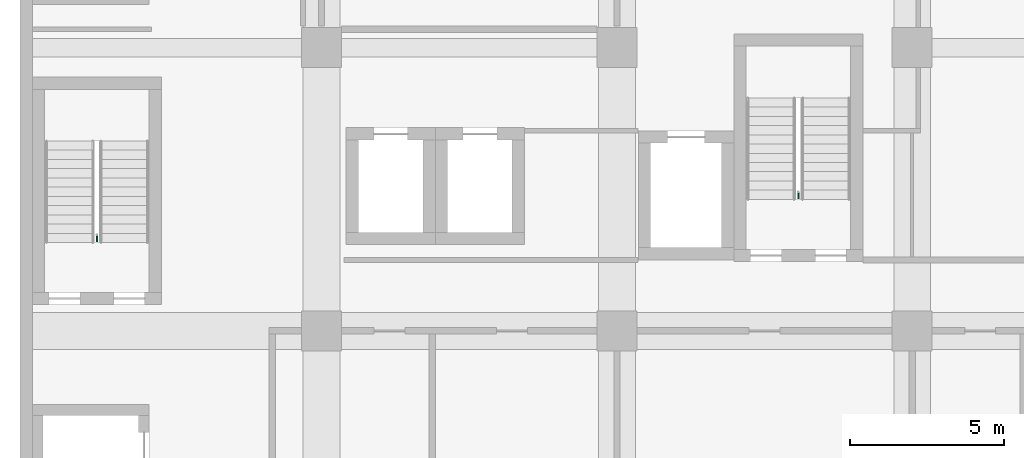
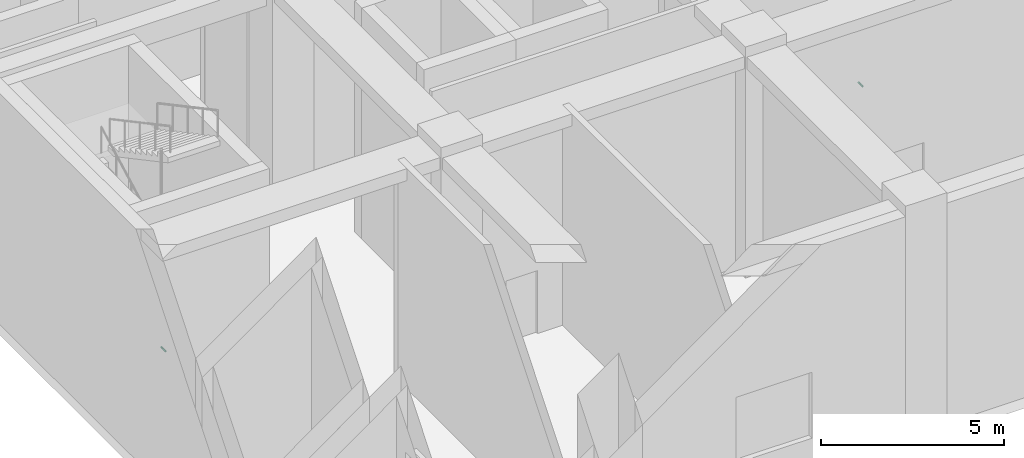
# One storey, part 28 of 33: 2 pipe fittings.
"""IFC4 building model written with IfcOpenShell, lengths in metres."""

from ifc_helpers import new_model, si_unit, direction, frame, origin, origin_2d, place, context, subcontext, project, spatial, circle, extrude, element, save


model = new_model("IFC4")

# Units and contexts
model_context = context("Model", 3, precision=1e-05, world=origin(), true_north=direction((0.0, 1.0)))
body_context = subcontext(model_context, "Body", "Model", "MODEL_VIEW")
ifc_project = project(units=[si_unit("LENGTHUNIT", "METRE"), si_unit("AREAUNIT", "SQUARE_METRE"), si_unit("VOLUMEUNIT", "CUBIC_METRE"), si_unit("PLANEANGLEUNIT", "RADIAN"), si_unit("MASSUNIT", "GRAM", prefix="KILO")], contexts=[model_context])

# Site, building, storey
site_placement = place(None, origin())
site = spatial("IfcSite", under=ifc_project, at=site_placement, CompositionType="ELEMENT")
building_placement = place(site_placement, origin())
building = spatial("IfcBuilding", under=site, at=building_placement, Name="Nzadi Deep Aquarium and Research Tower", CompositionType="ELEMENT")
storey_placement = place(building_placement, frame((0.0, 0.0, 6.5)))
storey = spatial("IfcBuildingStorey", under=building, at=storey_placement, Name="L01", CompositionType="ELEMENT", Elevation=6.5)

# Pipe fittings
for number, where, z_axis, x_axis, name in (
    (1, (2.300048828125, 12.320068359375, 1.10009765625), (0.0, -1.0, 0.0), (1.0, 0.0, 0.0), "Dry riser outlet ST-Z1-SW L01"),
    (2, (25.10009765625, 13.719970703125, 1.10009765625), (0.0, -1.0, 0.0), (1.0, 0.0, 0.0), "Dry riser outlet ST-Z1-SE L01"),
):
    element("IfcPipeFitting", number, at=place(storey_placement, frame(where, z_axis=z_axis, x_axis=x_axis)), inside=storey, Name=name, PredefinedType="EXIT", context=body_context, shape_type="SweptSolid", body=[
        extrude(circle(Radius=0.0224609375, at=origin_2d()), origin(), (0.0, 0.0, 1.0), 0.22998046875),
    ])

save(model, "model.ifc")
